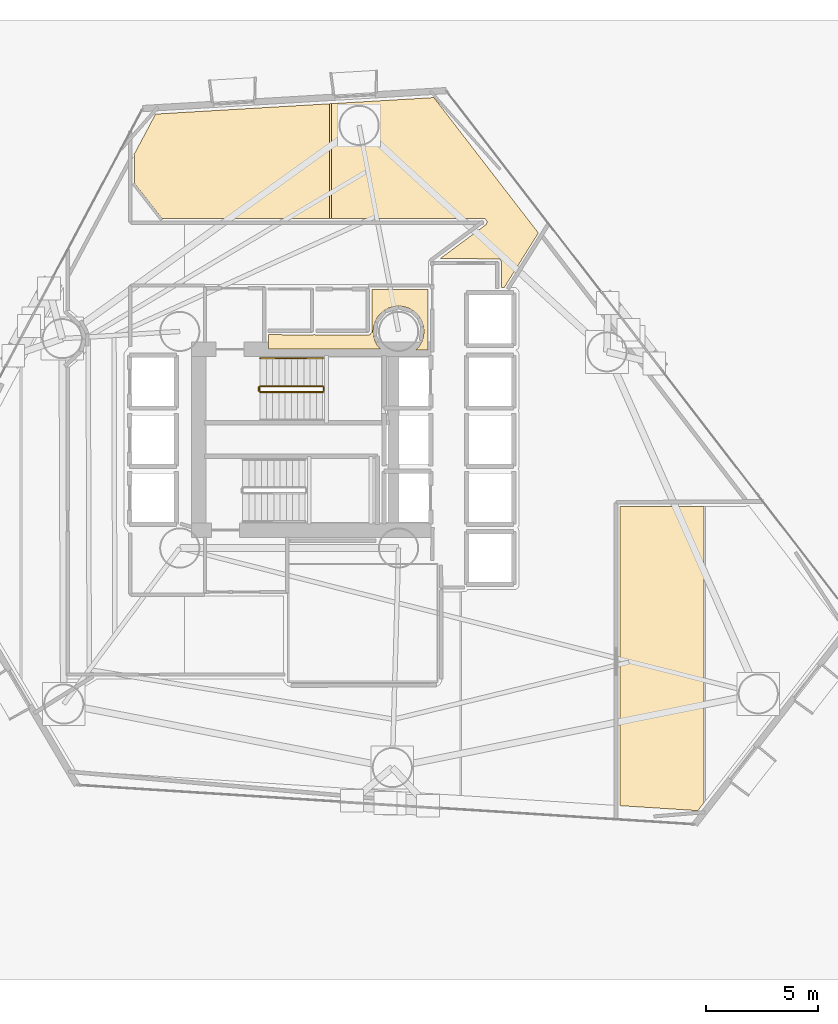
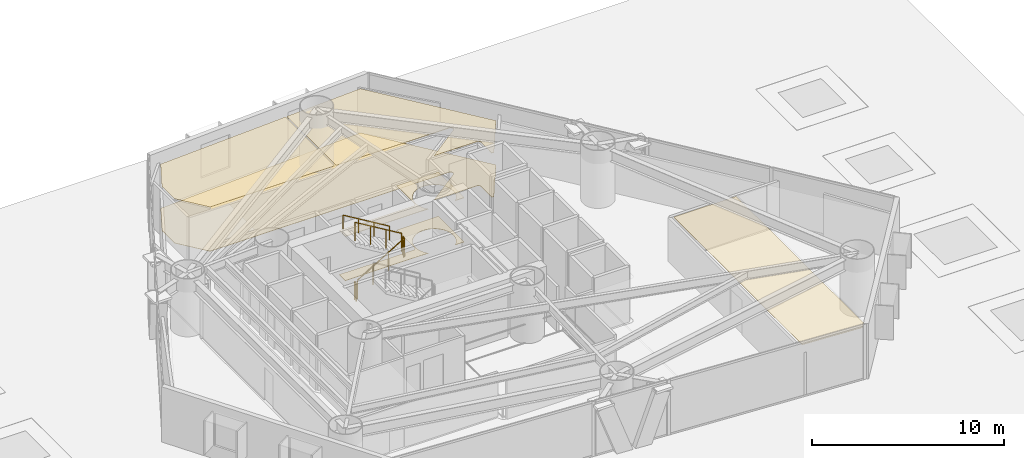
# One storey, part 21 of 22: 6 coverings, 5 railings.
"""IFC4 building model written with IfcOpenShell, lengths in metres."""

from ifc_helpers import new_model, si_unit, direction, frame, origin, origin_2d, place, context, subcontext, project, spatial, polyline, rectangle, outline, extrude, material, layer, layer_set, type_object, element, save


model = new_model("IFC4")

# Units and contexts
model_context = context("Model", 3, precision=1e-05, world=origin(), true_north=direction((0.0, 1.0)))
body_context = subcontext(model_context, "Body", "Model", "MODEL_VIEW")
ifc_project = project(units=[si_unit("LENGTHUNIT", "METRE"), si_unit("AREAUNIT", "SQUARE_METRE"), si_unit("VOLUMEUNIT", "CUBIC_METRE"), si_unit("PLANEANGLEUNIT", "RADIAN"), si_unit("MASSUNIT", "GRAM", prefix="KILO")], contexts=[model_context])

# Site, building, storey
site_placement = place(None, origin())
site = spatial("IfcSite", under=ifc_project, at=site_placement, CompositionType="ELEMENT")
building_placement = place(site_placement, origin())
building = spatial("IfcBuilding", under=site, at=building_placement, Name="Qianvela Tower", CompositionType="ELEMENT")
storey_placement = place(building_placement, frame((0.0, 0.0, 25.699951171875)))
storey = spatial("IfcBuildingStorey", under=building, at=storey_placement, Name="L05", CompositionType="ELEMENT", Elevation=25.699951171875)

# Coverings
ifc_material_1 = material(Name="Perforated Mineral Acoustic Ceiling Tile")
ifc_layer_1 = layer(ifc_material_1, 0.02490234375)
ifc_layer_set_1 = layer_set([ifc_layer_1], Name="Perforated Mineral Acoustic Ceiling Tile")
covering_type_1 = type_object("IfcCoveringType", Name="COV-CEIL-ACOUSTIC-25", PredefinedType="CEILING", material=ifc_layer_set_1)
covering_1_placement = place(storey_placement, frame((0.0, 0.0, 2.81494140625)))
element("IfcCovering", 1, at=covering_1_placement, inside=storey, type_object=covering_type_1, Name="L05 Acoustic Ceiling Student Tea Pantry L05-03", PredefinedType="CEILING", context=body_context, shape_type="SweptSolid", body=[
    extrude(outline(polyline([(32.580078125, 32.77001953125), (32.580078125, 33.406982421875), (34.54931640625, 33.389892578125), (34.5576171875, 33.390380859375), (34.565673828125, 33.3916015625), (34.57373046875, 33.3935546875), (34.581298828125, 33.396484375), (34.5888671875, 33.400146484375), (34.595703125, 33.404296875), (34.625, 33.4248046875), (34.654296875, 33.404296875), (34.6611328125, 33.400146484375), (34.66845703125, 33.396484375), (34.676025390625, 33.393798828125), (34.683837890625, 33.3916015625), (34.69189453125, 33.390380859375), (34.7001953125, 33.389892578125), (37.0732421875, 33.393310546875), (37.08154296875, 33.393798828125), (37.08984375, 33.395263671875), (37.097900390625, 33.397216796875), (37.10546875, 33.400146484375), (37.11279296875, 33.404052734375), (37.119873046875, 33.408447265625), (37.126220703125, 33.41357421875), (37.132080078125, 33.41943359375), (37.137451171875, 33.42578125), (37.1943359375, 33.502197265625), (37.1982421875, 33.50830078125), (37.201904296875, 33.514892578125), (37.204833984375, 33.521484375), (37.20703125, 33.528564453125), (37.208740234375, 33.53564453125), (37.209716796875, 33.542724609375), (37.2099609375, 33.550048828125), (37.20751953125, 35.419921875), (39.719970703125, 35.419921875), (39.719970703125, 32.719970703125), (39.175537109375, 32.719970703125), (39.197509765625, 32.736328125), (39.204833984375, 32.74267578125), (39.21142578125, 32.749755859375), (39.34326171875, 32.910400390625), (39.347900390625, 32.91650390625), (39.351806640625, 32.92333984375), (39.449951171875, 33.106689453125), (39.453125, 33.11376953125), (39.455810546875, 33.12109375), (39.51611328125, 33.320068359375), (39.51806640625, 33.32763671875), (39.519287109375, 33.33544921875), (39.53955078125, 33.542236328125), (39.5400390625, 33.550048828125), (39.53955078125, 33.557861328125), (39.519287109375, 33.7646484375), (39.51806640625, 33.7724609375), (39.51611328125, 33.780029296875), (39.455810546875, 33.97900390625), (39.453125, 33.986328125), (39.449951171875, 33.993408203125), (39.351806640625, 34.176513671875), (39.347900390625, 34.183349609375), (39.34326171875, 34.189697265625), (39.21142578125, 34.350341796875), (39.2060546875, 34.356201171875), (39.2001953125, 34.361328125), (39.039794921875, 34.4931640625), (39.033447265625, 34.497802734375), (39.026611328125, 34.501953125), (38.843505859375, 34.599853515625), (38.836181640625, 34.603271484375), (38.828857421875, 34.60595703125), (38.6298828125, 34.666259765625), (38.622314453125, 34.668212890625), (38.614501953125, 34.669189453125), (38.40771484375, 34.689697265625), (38.39990234375, 34.68994140625), (38.39208984375, 34.689697265625), (38.185302734375, 34.669189453125), (38.177490234375, 34.668212890625), (38.169921875, 34.666259765625), (37.97119140625, 34.60595703125), (37.963623046875, 34.603271484375), (37.95654296875, 34.599853515625), (37.7734375, 34.501953125), (37.7666015625, 34.497802734375), (37.76025390625, 34.4931640625), (37.599609375, 34.361328125), (37.593994140625, 34.356201171875), (37.588623046875, 34.350341796875), (37.456787109375, 34.189697265625), (37.4521484375, 34.183349609375), (37.447998046875, 34.176513671875), (37.35009765625, 33.993408203125), (37.3466796875, 33.986328125), (37.343994140625, 33.97900390625), (37.28369140625, 33.780029296875), (37.281982421875, 33.7724609375), (37.28076171875, 33.7646484375), (37.260498046875, 33.557861328125), (37.260009765625, 33.550048828125), (37.260498046875, 33.542236328125), (37.28076171875, 33.33544921875), (37.281982421875, 33.32763671875), (37.28369140625, 33.320068359375), (37.343994140625, 33.12109375), (37.3466796875, 33.11376953125), (37.35009765625, 33.106689453125), (37.447998046875, 32.92333984375), (37.451904296875, 32.916748046875), (37.45654296875, 32.91064453125), (37.461669921875, 32.905029296875), (37.59423828125, 32.77001953125), (32.580078125, 32.77001953125)])), origin(), (0.0, 0.0, 1.0), 0.025146484375),
])
covering_2_placement = place(storey_placement, frame((0.0, 0.0, 2.81494140625)))
element("IfcCovering", 2, at=covering_2_placement, inside=storey, type_object=covering_type_1, Name="L05 Acoustic Ceiling Bay 1 Academic Advising Lounge L05-04", PredefinedType="CEILING", context=body_context, shape_type="SweptSolid", body=[
    extrude(outline(polyline([(27.802734375, 38.610107421875), (26.580078125, 40.175048828125), (26.580078125, 41.39599609375), (26.57958984375, 41.4033203125), (26.57861328125, 41.410400390625), (26.5771484375, 41.417236328125), (26.574951171875, 41.42431640625), (26.572021484375, 41.430908203125), (26.568603515625, 41.437255859375), (26.54931640625, 41.468994140625), (27.51611328125, 43.286865234375), (35.313232421875, 43.748291015625), (35.313232421875, 38.606689453125), (27.802734375, 38.610107421875)])), origin(), (0.0, 0.0, 1.0), 0.025146484375),
])
covering_3_placement = place(storey_placement, frame((0.0, 0.0, 2.81494140625)))
element("IfcCovering", 3, at=covering_3_placement, inside=storey, type_object=covering_type_1, Name="L05 Acoustic Ceiling Bay 2 Academic Advising Lounge L05-04", PredefinedType="CEILING", context=body_context, shape_type="SweptSolid", body=[
    extrude(outline(polyline([(43.009765625, 36.6572265625), (43.008544921875, 36.6650390625), (43.006591796875, 36.6728515625), (43.00390625, 36.680419921875), (43.00048828125, 36.6875), (42.99658203125, 36.6943359375), (42.947021484375, 36.768310546875), (42.9423828125, 36.774658203125), (42.937255859375, 36.780517578125), (42.931396484375, 36.78564453125), (42.925048828125, 36.790283203125), (42.91845703125, 36.79443359375), (42.911376953125, 36.7978515625), (42.904052734375, 36.80029296875), (42.896484375, 36.80224609375), (42.888671875, 36.803466796875), (42.880859375, 36.803955078125), (40.26220703125, 36.8095703125), (42.298583984375, 38.321533203125), (42.3046875, 38.32666015625), (42.310302734375, 38.332275390625), (42.315185546875, 38.33837890625), (42.319580078125, 38.34521484375), (42.323486328125, 38.352294921875), (42.35546875, 38.422119140625), (42.3583984375, 38.42919921875), (42.360595703125, 38.4365234375), (42.362060546875, 38.444091796875), (42.36279296875, 38.45166015625), (42.36279296875, 38.459228515625), (42.362060546875, 38.466796875), (42.360595703125, 38.474365234375), (42.3583984375, 38.481689453125), (42.355712890625, 38.48876953125), (42.35205078125, 38.49560546875), (42.347900390625, 38.501953125), (42.29931640625, 38.570068359375), (42.294677734375, 38.576171875), (42.289306640625, 38.58154296875), (42.28369140625, 38.586669921875), (42.277587890625, 38.591064453125), (42.27099609375, 38.5947265625), (42.263916015625, 38.597900390625), (42.2568359375, 38.600341796875), (42.24951171875, 38.602294921875), (42.241943359375, 38.603271484375), (42.234375, 38.603759765625), (35.393310546875, 38.606689453125), (35.393310546875, 43.7529296875), (39.98388671875, 44.024658203125), (44.661865234375, 37.960693359375), (43.150390625, 35.544677734375), (43.146484375, 35.5380859375), (43.1435546875, 35.53125), (43.14111328125, 35.524169921875), (43.14013671875, 35.52001953125), (43.0, 35.52001953125), (43.010009765625, 36.6494140625), (43.009765625, 36.6572265625)])), origin(), (0.0, 0.0, 1.0), 0.025146484375),
])
covering_4_placement = place(storey_placement, frame((0.0, 0.0, 2.81494140625)))
element("IfcCovering", 4, at=covering_4_placement, inside=storey, type_object=covering_type_1, Name="L05 Acoustic Ceiling Bay 1 Student Wellness Lounge L05-05", PredefinedType="CEILING", context=body_context, shape_type="SweptSolid", body=[
    extrude(outline(polyline([(51.802734375, 12.085693359375), (48.310302734375, 12.308349609375), (48.311279296875, 25.719970703125), (52.07568359375, 25.719970703125), (52.07568359375, 12.434814453125), (51.802734375, 12.085693359375)])), origin(), (0.0, 0.0, 1.0), 0.025146484375),
])
ifc_material_2 = material(Name="Engineered Acoustic Oak Timber Flooring", Category="wood")
ifc_layer_2 = layer(ifc_material_2, 0.02001953125)
ifc_layer_set_2 = layer_set([ifc_layer_2], Name="Engineered Acoustic Oak Timber Flooring")
covering_type_2 = type_object("IfcCoveringType", Name="COV-FLOOR-OAK-20", PredefinedType="FLOORING", material=ifc_layer_set_2)
covering_5_placement = place(storey_placement, origin())
element("IfcCovering", 5, at=covering_5_placement, inside=storey, type_object=covering_type_2, Name="L05 Finish Flooring Student Tea Pantry L05-03", PredefinedType="FLOORING", context=body_context, shape_type="SweptSolid", body=[
    extrude(outline(polyline([(32.580078125, 32.77001953125), (32.580078125, 33.406982421875), (34.54931640625, 33.389892578125), (34.5576171875, 33.390380859375), (34.565673828125, 33.3916015625), (34.57373046875, 33.3935546875), (34.581298828125, 33.396484375), (34.5888671875, 33.400146484375), (34.595703125, 33.404296875), (34.625, 33.4248046875), (34.654296875, 33.404296875), (34.6611328125, 33.400146484375), (34.66845703125, 33.396484375), (34.676025390625, 33.393798828125), (34.683837890625, 33.3916015625), (34.69189453125, 33.390380859375), (34.7001953125, 33.389892578125), (37.0732421875, 33.393310546875), (37.08154296875, 33.393798828125), (37.08984375, 33.395263671875), (37.097900390625, 33.397216796875), (37.10546875, 33.400146484375), (37.11279296875, 33.404052734375), (37.119873046875, 33.408447265625), (37.126220703125, 33.41357421875), (37.132080078125, 33.41943359375), (37.137451171875, 33.42578125), (37.1943359375, 33.502197265625), (37.1982421875, 33.50830078125), (37.201904296875, 33.514892578125), (37.204833984375, 33.521484375), (37.20703125, 33.528564453125), (37.208740234375, 33.53564453125), (37.209716796875, 33.542724609375), (37.2099609375, 33.550048828125), (37.20751953125, 35.419921875), (39.719970703125, 35.419921875), (39.719970703125, 32.719970703125), (39.175537109375, 32.719970703125), (39.197509765625, 32.736328125), (39.204833984375, 32.74267578125), (39.21142578125, 32.749755859375), (39.34326171875, 32.910400390625), (39.347900390625, 32.91650390625), (39.351806640625, 32.92333984375), (39.449951171875, 33.106689453125), (39.453125, 33.11376953125), (39.455810546875, 33.12109375), (39.51611328125, 33.320068359375), (39.51806640625, 33.32763671875), (39.519287109375, 33.33544921875), (39.53955078125, 33.542236328125), (39.5400390625, 33.550048828125), (39.53955078125, 33.557861328125), (39.519287109375, 33.7646484375), (39.51806640625, 33.7724609375), (39.51611328125, 33.780029296875), (39.455810546875, 33.97900390625), (39.453125, 33.986328125), (39.449951171875, 33.993408203125), (39.351806640625, 34.176513671875), (39.347900390625, 34.183349609375), (39.34326171875, 34.189697265625), (39.21142578125, 34.350341796875), (39.2060546875, 34.356201171875), (39.2001953125, 34.361328125), (39.039794921875, 34.4931640625), (39.033447265625, 34.497802734375), (39.026611328125, 34.501953125), (38.843505859375, 34.599853515625), (38.836181640625, 34.603271484375), (38.828857421875, 34.60595703125), (38.6298828125, 34.666259765625), (38.622314453125, 34.668212890625), (38.614501953125, 34.669189453125), (38.40771484375, 34.689697265625), (38.39990234375, 34.68994140625), (38.39208984375, 34.689697265625), (38.185302734375, 34.669189453125), (38.177490234375, 34.668212890625), (38.169921875, 34.666259765625), (37.97119140625, 34.60595703125), (37.963623046875, 34.603271484375), (37.95654296875, 34.599853515625), (37.7734375, 34.501953125), (37.7666015625, 34.497802734375), (37.76025390625, 34.4931640625), (37.599609375, 34.361328125), (37.593994140625, 34.356201171875), (37.588623046875, 34.350341796875), (37.456787109375, 34.189697265625), (37.4521484375, 34.183349609375), (37.447998046875, 34.176513671875), (37.35009765625, 33.993408203125), (37.3466796875, 33.986328125), (37.343994140625, 33.97900390625), (37.28369140625, 33.780029296875), (37.281982421875, 33.7724609375), (37.28076171875, 33.7646484375), (37.260498046875, 33.557861328125), (37.260009765625, 33.550048828125), (37.260498046875, 33.542236328125), (37.28076171875, 33.33544921875), (37.281982421875, 33.32763671875), (37.28369140625, 33.320068359375), (37.343994140625, 33.12109375), (37.3466796875, 33.11376953125), (37.35009765625, 33.106689453125), (37.447998046875, 32.92333984375), (37.451904296875, 32.916748046875), (37.45654296875, 32.91064453125), (37.461669921875, 32.905029296875), (37.59423828125, 32.77001953125), (32.580078125, 32.77001953125)])), origin(), (0.0, 0.0, 1.0), 0.02001953125),
])
covering_6_placement = place(storey_placement, origin())
element("IfcCovering", 6, at=covering_6_placement, inside=storey, type_object=covering_type_2, Name="L05 Finish Flooring Academic Advising Lounge L05-04", PredefinedType="FLOORING", context=body_context, shape_type="SweptSolid", body=[
    extrude(outline(polyline([(43.010009765625, 36.6494140625), (43.009765625, 36.6572265625), (43.008544921875, 36.6650390625), (43.006591796875, 36.6728515625), (43.00390625, 36.680419921875), (43.00048828125, 36.6875), (42.99658203125, 36.6943359375), (42.947021484375, 36.768310546875), (42.9423828125, 36.774658203125), (42.937255859375, 36.780517578125), (42.931396484375, 36.78564453125), (42.925048828125, 36.790283203125), (42.91845703125, 36.79443359375), (42.911376953125, 36.7978515625), (42.904052734375, 36.80029296875), (42.896484375, 36.80224609375), (42.888671875, 36.803466796875), (42.880859375, 36.803955078125), (40.26220703125, 36.8095703125), (42.298583984375, 38.321533203125), (42.3046875, 38.32666015625), (42.310302734375, 38.332275390625), (42.315185546875, 38.33837890625), (42.319580078125, 38.34521484375), (42.323486328125, 38.352294921875), (42.35546875, 38.422119140625), (42.3583984375, 38.42919921875), (42.360595703125, 38.4365234375), (42.362060546875, 38.444091796875), (42.36279296875, 38.45166015625), (42.36279296875, 38.459228515625), (42.362060546875, 38.466796875), (42.360595703125, 38.474365234375), (42.3583984375, 38.481689453125), (42.355712890625, 38.48876953125), (42.35205078125, 38.49560546875), (42.347900390625, 38.501953125), (42.29931640625, 38.570068359375), (42.294677734375, 38.576171875), (42.289306640625, 38.58154296875), (42.28369140625, 38.586669921875), (42.277587890625, 38.591064453125), (42.27099609375, 38.5947265625), (42.263916015625, 38.597900390625), (42.2568359375, 38.600341796875), (42.24951171875, 38.602294921875), (42.241943359375, 38.603271484375), (42.234375, 38.603759765625), (27.802734375, 38.610107421875), (26.580078125, 40.175048828125), (26.580078125, 41.39599609375), (26.57958984375, 41.4033203125), (26.57861328125, 41.410400390625), (26.5771484375, 41.417236328125), (26.574951171875, 41.42431640625), (26.572021484375, 41.430908203125), (26.568603515625, 41.437255859375), (26.54931640625, 41.468994140625), (27.51611328125, 43.286865234375), (39.98388671875, 44.024658203125), (44.661865234375, 37.960693359375), (43.150390625, 35.544677734375), (43.146484375, 35.5380859375), (43.1435546875, 35.53125), (43.14111328125, 35.524169921875), (43.14013671875, 35.52001953125), (43.0, 35.52001953125), (43.010009765625, 36.6494140625)])), origin(), (0.0, 0.0, 1.0), 0.02001953125),
])

# Railings
ifc_material_3 = material(Name="Painted Tubular Steel Q355B", Category="steel")
railing_type_1 = type_object("IfcRailingType", Name="RL-STAIR-GUARD-1200", PredefinedType="GUARDRAIL", material=ifc_material_3)
railing_1_placement = place(storey_placement, frame((32.199951171875, 30.840087890625, 0.168212890625)))
element("IfcRailing", 7, at=railing_1_placement, inside=storey, type_object=railing_type_1, Name="L05 ST-1 stair guard 1", PredefinedType="GUARDRAIL", context=body_context, shape_type="SweptSolid", body=[
    extrude(rectangle(XDim=0.050048828125, YDim=0.0400390625, at=origin_2d()), frame((0.0, 0.0, 1.179931640625), z_axis=(0.857242210791, 0.0, 0.514913383045), x_axis=(0.0, 1.0, 0.0)), (0.0, 0.0, 1.0), 3.266357421875),
    extrude(rectangle(XDim=0.050048828125, YDim=0.050048828125, at=origin_2d()), origin(), (0.0, 0.0, 1.0), 1.159912109375),
    extrude(rectangle(XDim=0.050048828125, YDim=0.050048828125, at=origin_2d()), frame((0.933349609375, 0.0, 0.560546875)), (0.0, 0.0, 1.0), 1.159912109375),
    extrude(rectangle(XDim=0.050048828125, YDim=0.050048828125, at=origin_2d()), frame((1.86669921875, 0.0, 1.121337890625)), (0.0, 0.0, 1.0), 1.159912109375),
    extrude(rectangle(XDim=0.050048828125, YDim=0.050048828125, at=origin_2d()), frame((2.800048828125, 0.0, 1.681884765625)), (0.0, 0.0, 1.0), 1.159912109375),
])
railing_2_placement = place(storey_placement, frame((35.050048828125, 30.889892578125, 1.85009765625)))
element("IfcRailing", 8, at=railing_2_placement, inside=storey, type_object=railing_type_1, Name="L05 ST-1 stair guard 2", PredefinedType="GUARDRAIL", context=body_context, shape_type="SweptSolid", body=[
    extrude(rectangle(XDim=0.050048828125, YDim=0.0400390625, at=origin_2d()), frame((0.0, 0.0, 1.179931640625), z_axis=(0.0, 1.0, 0.0), x_axis=(-1.0, 0.0, 0.0)), (0.0, 0.0, 1.0), 0.16015625),
    extrude(rectangle(XDim=0.050048828125, YDim=0.050048828125, at=origin_2d()), origin(), (0.0, 0.0, 1.0), 1.159912109375),
    extrude(rectangle(XDim=0.050048828125, YDim=0.050048828125, at=origin_2d()), frame((0.0, 0.16015625, 0.0)), (0.0, 0.0, 1.0), 1.159912109375),
])
railing_3_placement = place(storey_placement, frame((35.0, 31.10009765625, 2.018310546875)))
element("IfcRailing", 9, at=railing_3_placement, inside=storey, type_object=railing_type_1, Name="L05 ST-1 stair guard 3", PredefinedType="GUARDRAIL", context=body_context, shape_type="SweptSolid", body=[
    extrude(rectangle(XDim=0.050048828125, YDim=0.0400390625, at=origin_2d()), frame((0.0, 0.0, 1.179931640625), z_axis=(-0.857275202839, 0.0, 0.514858452973), x_axis=(0.0, -1.0, 0.0)), (0.0, 0.0, 1.0), 3.26611328125),
    extrude(rectangle(XDim=0.050048828125, YDim=0.050048828125, at=origin_2d()), origin(), (0.0, 0.0, 1.0), 1.159912109375),
    extrude(rectangle(XDim=0.050048828125, YDim=0.050048828125, at=origin_2d()), frame((-0.933349609375, 0.0, 0.560546875)), (0.0, 0.0, 1.0), 1.159912109375),
    extrude(rectangle(XDim=0.050048828125, YDim=0.050048828125, at=origin_2d()), frame((-1.86669921875, 0.0, 1.12109375)), (0.0, 0.0, 1.0), 1.159912109375),
    extrude(rectangle(XDim=0.050048828125, YDim=0.050048828125, at=origin_2d()), frame((-2.800048828125, 0.0, 1.681640625)), (0.0, 0.0, 1.0), 1.159912109375),
])
railing_4_placement = place(storey_placement, frame((32.14990234375, 30.889892578125, 0.0)))
element("IfcRailing", 10, at=railing_4_placement, inside=storey, type_object=railing_type_1, Name="L05 ST-1 stair guard 4", PredefinedType="GUARDRAIL", context=body_context, shape_type="SweptSolid", body=[
    extrude(rectangle(XDim=0.050048828125, YDim=0.0400390625, at=origin_2d()), frame((0.0, 0.0, 1.179931640625), z_axis=(0.0, 1.0, 0.0), x_axis=(-1.0, 0.0, 0.0)), (0.0, 0.0, 1.0), 0.16015625),
    extrude(rectangle(XDim=0.050048828125, YDim=0.050048828125, at=origin_2d()), origin(), (0.0, 0.0, 1.0), 1.159912109375),
    extrude(rectangle(XDim=0.050048828125, YDim=0.050048828125, at=origin_2d()), frame((0.0, 0.16015625, 0.0)), (0.0, 0.0, 1.0), 1.159912109375),
])
ifc_material_4 = material(Name="Brushed Stainless Steel 304", Category="steel")
railing_type_2 = type_object("IfcRailingType", Name="RL-STAIR-HANDRAIL-900", PredefinedType="HANDRAIL", material=ifc_material_4)
railing_5_placement = place(storey_placement, frame((35.0, 32.35009765625, 2.018310546875)))
element("IfcRailing", 11, at=railing_5_placement, inside=storey, type_object=railing_type_2, Name="L05 ST-1 stair handrail 2", PredefinedType="HANDRAIL", context=body_context, shape_type="SweptSolid", body=[
    extrude(rectangle(XDim=0.050048828125, YDim=0.0400390625, at=origin_2d()), frame((0.0, 0.0, 0.8798828125), z_axis=(-0.857275202839, 0.0, 0.514858452973), x_axis=(0.0, -1.0, 0.0)), (0.0, 0.0, 1.0), 3.26611328125),
    extrude(rectangle(XDim=0.050048828125, YDim=0.050048828125, at=origin_2d()), origin(), (0.0, 0.0, 1.0), 0.85986328125),
    extrude(rectangle(XDim=0.050048828125, YDim=0.050048828125, at=origin_2d()), frame((-0.933349609375, 0.0, 0.560546875)), (0.0, 0.0, 1.0), 0.85986328125),
    extrude(rectangle(XDim=0.050048828125, YDim=0.050048828125, at=origin_2d()), frame((-1.86669921875, 0.0, 1.12109375)), (0.0, 0.0, 1.0), 0.85986328125),
    extrude(rectangle(XDim=0.050048828125, YDim=0.050048828125, at=origin_2d()), frame((-2.800048828125, 0.0, 1.681640625)), (0.0, 0.0, 1.0), 0.85986328125),
])

save(model, "model.ifc")
